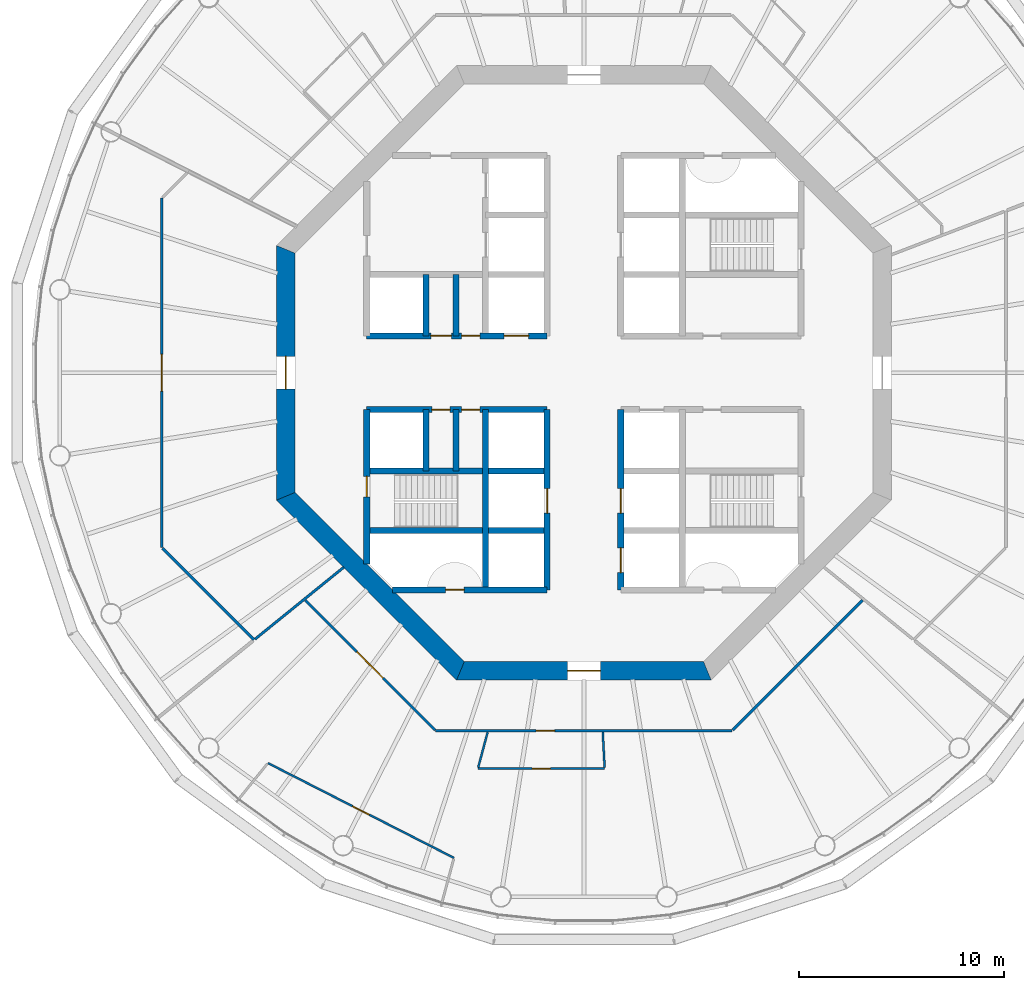
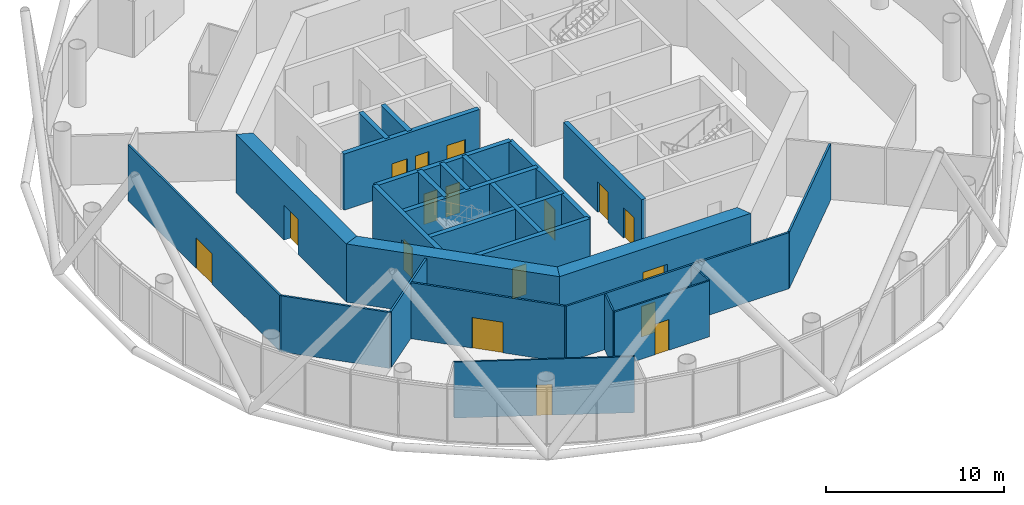
# One storey, part 3 of 12: 26 walls, 17 doors, 17 openings.
"""IFC4 building model written with IfcOpenShell, lengths in metres."""

from ifc_helpers import new_model, si_unit, direction, frame, frame_2d, origin, place, context, subcontext, project, spatial, polyline, rectangle, outline, extrude, material, layer, layer_set, type_object, element, fill, save


model = new_model("IFC4")

# Units and contexts
model_context = context("Model", 3, precision=1e-05, world=origin(), true_north=direction((0.0, 1.0)))
body_context = subcontext(model_context, "Body", "Model", "MODEL_VIEW")
ifc_project = project(units=[si_unit("LENGTHUNIT", "METRE"), si_unit("AREAUNIT", "SQUARE_METRE"), si_unit("VOLUMEUNIT", "CUBIC_METRE"), si_unit("PLANEANGLEUNIT", "RADIAN"), si_unit("MASSUNIT", "GRAM", prefix="KILO")], contexts=[model_context])

# Site, building, storey
site_placement = place(None, origin())
site = spatial("IfcSite", under=ifc_project, at=site_placement, CompositionType="ELEMENT")
building_placement = place(site_placement, origin())
building = spatial("IfcBuilding", under=site, at=building_placement, Name="Entoto Ring Tower", CompositionType="ELEMENT")
storey_placement = place(building_placement, frame((0.0, 0.0, 238.0)))
storey = spatial("IfcBuildingStorey", under=building, at=storey_placement, Name="L54", CompositionType="ELEMENT", Elevation=238.0)

# Wall, openings, doors
ifc_material_1 = material(Name="Concrete C40/50", Category="concrete")
ifc_layer_1 = layer(ifc_material_1, 0.300048828125)
ifc_layer_set_1 = layer_set([ifc_layer_1], Name="Concrete C40/50")
wall_type_1 = type_object("IfcWallType", Name="Core enclosure wall 300 mm reinforced concrete", PredefinedType="SOLIDWALL", material=ifc_layer_set_1)
wall_1_placement = place(storey_placement, frame((91.800048828125, 69.39990234375, 0.0), z_axis=(0.0, 0.0, 1.0), x_axis=(0.0, 1.0, 0.0)))
wall_1 = element("IfcWall", 1, at=wall_1_placement, inside=storey, type_object=wall_type_1, Name="wall-L54-005", PredefinedType="SOLIDWALL", context=body_context, shape_type="SweptSolid", body=[
    extrude(rectangle(XDim=8.800048828125, YDim=0.300048828125, at=frame_2d((4.39990234375, 0.0))), origin(), (0.0, 0.0, 1.0), 3.85009765625),
])
opening_1_placement = place(wall_1_placement, frame((3.75, 0.0, 0.0)))
opening_1 = element("IfcOpeningElement", 2, at=opening_1_placement, cuts=wall_1, Name="Opening LD", PredefinedType="OPENING", context=body_context, shape_type="SweptSolid", body=[
    extrude(rectangle(XDim=1.199951171875, YDim=2.10009765625, at=frame_2d((0.60009765625, 1.050048828125))), frame((0.0, 0.16015625, 0.0), z_axis=(0.0, -1.0, 0.0), x_axis=(1.0, 0.0, 0.0)), (0.0, 0.0, 1.0), 0.320068359375),
])
opening_2_placement = place(wall_1_placement, frame((0.85009765625, 0.0, 0.0)))
opening_2 = element("IfcOpeningElement", 3, at=opening_2_placement, cuts=wall_1, Name="Opening LD", PredefinedType="OPENING", context=body_context, shape_type="SweptSolid", body=[
    extrude(rectangle(XDim=1.199951171875, YDim=2.10009765625, at=frame_2d((0.60009765625, 1.050048828125))), frame((0.0, 0.16015625, 0.0), z_axis=(0.0, -1.0, 0.0), x_axis=(1.0, 0.0, 0.0)), (0.0, 0.0, 1.0), 0.320068359375),
])
ifc_material_2 = material(Name="Steel and glass door leaf", Category="steel")
ifc_layer_2 = layer(ifc_material_2, 0.050048828125)
ifc_layer_set_2 = layer_set([ifc_layer_2], Name="Steel and glass door leaf")
door_type_1 = type_object("IfcDoorType", Name="Landing door 1200 x 2100 sliding", OperationType="DOUBLE_DOOR_SLIDING", PredefinedType="DOOR", material=ifc_layer_set_2)
door_1_placement = place(opening_1_placement, origin())
door_1 = element("IfcDoor", 4, at=door_1_placement, inside=storey, type_object=door_type_1, Name="Landing door LB2-MR", OperationType="SLIDING_TO_RIGHT", OverallHeight=2.10009765625, OverallWidth=1.199951171875, PredefinedType="DOOR", context=body_context, shape_type="SweptSolid", body=[
    extrude(rectangle(XDim=1.199951171875, YDim=2.10009765625, at=frame_2d((0.60009765625, 1.050048828125))), frame((0.0, 0.02490234375, 0.0), z_axis=(0.0, -1.0, 0.0), x_axis=(1.0, 0.0, 0.0)), (0.0, 0.0, 1.0), 0.050048828125),
])
fill(opening_1, door_1)
door_2_placement = place(opening_2_placement, origin())
door_2 = element("IfcDoor", 5, at=door_2_placement, inside=storey, type_object=door_type_1, Name="Landing door LB3-MR", OperationType="SLIDING_TO_RIGHT", OverallHeight=2.10009765625, OverallWidth=1.199951171875, PredefinedType="DOOR", context=body_context, shape_type="SweptSolid", body=[
    extrude(rectangle(XDim=1.199951171875, YDim=2.10009765625, at=frame_2d((0.60009765625, 1.050048828125))), frame((0.0, 0.02490234375, 0.0), z_axis=(0.0, -1.0, 0.0), x_axis=(1.0, 0.0, 0.0)), (0.0, 0.0, 1.0), 0.050048828125),
])
fill(opening_2, door_2)

# Wall, opening, door
wall_2_placement = place(storey_placement, frame((88.199951171875, 69.39990234375, 0.0), z_axis=(0.0, 0.0, 1.0), x_axis=(0.0, 1.0, 0.0)))
wall_2 = element("IfcWall", 6, at=wall_2_placement, inside=storey, type_object=wall_type_1, Name="wall-L54-007", PredefinedType="SOLIDWALL", context=body_context, shape_type="SweptSolid", body=[
    extrude(rectangle(XDim=8.800048828125, YDim=0.300048828125, at=frame_2d((4.39990234375, 0.0))), origin(), (0.0, 0.0, 1.0), 3.85009765625),
])
opening_3_placement = place(wall_2_placement, frame((3.75, 0.0, 0.0)))
opening_3 = element("IfcOpeningElement", 7, at=opening_3_placement, cuts=wall_2, Name="Opening LD", PredefinedType="OPENING", context=body_context, shape_type="SweptSolid", body=[
    extrude(rectangle(XDim=1.199951171875, YDim=2.10009765625, at=frame_2d((0.60009765625, 1.050048828125))), frame((0.0, 0.16015625, 0.0), z_axis=(0.0, -1.0, 0.0), x_axis=(1.0, 0.0, 0.0)), (0.0, 0.0, 1.0), 0.320068359375),
])
door_3_placement = place(opening_3_placement, origin())
door_3 = element("IfcDoor", 8, at=door_3_placement, inside=storey, type_object=door_type_1, Name="Landing door LB4-MR", OperationType="SLIDING_TO_RIGHT", OverallHeight=2.10009765625, OverallWidth=1.199951171875, PredefinedType="DOOR", context=body_context, shape_type="SweptSolid", body=[
    extrude(rectangle(XDim=1.199951171875, YDim=2.10009765625, at=frame_2d((0.60009765625, 1.050048828125))), frame((0.0, 0.02490234375, 0.0), z_axis=(0.0, -1.0, 0.0), x_axis=(1.0, 0.0, 0.0)), (0.0, 0.0, 1.0), 0.050048828125),
])
fill(opening_3, door_3)

# Walls
wall_3_placement = place(storey_placement, frame((85.199951171875, 69.39990234375, 0.0), z_axis=(0.0, 0.0, 1.0), x_axis=(0.0, 1.0, 0.0)))
element("IfcWall", 9, at=wall_3_placement, inside=storey, type_object=wall_type_1, Name="wall-L54-009", PredefinedType="SOLIDWALL", context=body_context, shape_type="SweptSolid", body=[
    extrude(rectangle(XDim=8.800048828125, YDim=0.300048828125, at=frame_2d((4.39990234375, 0.0))), origin(), (0.0, 0.0, 1.0), 3.85009765625),
])
for number, where, z_axis, x_axis, name in (
    (10, (83.75, 75.199951171875, 0.0), (0.0, 0.0, 1.0), (0.0, 1.0, 0.0), "wall-L54-011"),
    (11, (83.75, 81.800048828125, 0.0), (0.0, 0.0, 1.0), (0.0, 1.0, 0.0), "wall-L54-012"),
    (12, (82.300048828125, 75.199951171875, 0.0), (0.0, 0.0, 1.0), (0.0, 1.0, 0.0), "wall-L54-013"),
    (13, (82.300048828125, 81.800048828125, 0.0), (0.0, 0.0, 1.0), (0.0, 1.0, 0.0), "wall-L54-014"),
):
    element("IfcWall", number, at=place(storey_placement, frame(where, z_axis=z_axis, x_axis=x_axis)), inside=storey, type_object=wall_type_1, Name=name, PredefinedType="SOLIDWALL", context=body_context, shape_type="SweptSolid", body=[
        extrude(rectangle(XDim=3.0, YDim=0.300048828125, at=frame_2d((1.5, 0.0))), origin(), (0.0, 0.0, 1.0), 3.85009765625),
    ])

# Wall, opening, door
wall_4_placement = place(storey_placement, frame((79.39990234375, 70.65966796875, 0.0), z_axis=(0.0, 0.0, 1.0), x_axis=(0.0, 1.0, 0.0)))
wall_4 = element("IfcWall", 14, at=wall_4_placement, inside=storey, type_object=wall_type_1, Name="wall-L54-015", PredefinedType="SOLIDWALL", context=body_context, shape_type="SweptSolid", body=[
    extrude(rectangle(XDim=7.540283203125, YDim=0.300048828125, at=frame_2d((3.77001953125, 0.0))), origin(), (0.0, 0.0, 1.0), 3.85009765625),
])
opening_4_placement = place(wall_4_placement, frame((3.290283203125, 0.0, 0.0)))
opening_4 = element("IfcOpeningElement", 15, at=opening_4_placement, cuts=wall_4, Name="Opening K-59", PredefinedType="OPENING", context=body_context, shape_type="SweptSolid", body=[
    extrude(rectangle(XDim=1.0, YDim=2.10009765625, at=frame_2d((0.5, 1.050048828125))), frame((0.0, 0.16015625, 0.0), z_axis=(0.0, -1.0, 0.0), x_axis=(1.0, 0.0, 0.0)), (0.0, 0.0, 1.0), 0.320068359375),
])
ifc_material_3 = material(Name="Steel door leaf, fire rated", Category="steel")
ifc_layer_3 = layer(ifc_material_3, 0.050048828125)
ifc_layer_set_3 = layer_set([ifc_layer_3], Name="Steel door leaf, fire rated")
door_type_2 = type_object("IfcDoorType", Name="Fire door FD60 1000 x 2100 single leaf", OperationType="NOTDEFINED", PredefinedType="DOOR", material=ifc_layer_set_3)
door_4_placement = place(opening_4_placement, frame((1.0, 0.0, 0.0), z_axis=(0.0, 0.0, 1.0), x_axis=(-1.0, 0.0, 0.0)))
door_4 = element("IfcDoor", 16, at=door_4_placement, inside=storey, type_object=door_type_2, Name="Door K-59", OperationType="SINGLE_SWING_LEFT", OverallHeight=2.10009765625, OverallWidth=1.0, PredefinedType="DOOR", context=body_context, shape_type="SweptSolid", body=[
    extrude(rectangle(XDim=1.0, YDim=2.10009765625, at=frame_2d((0.5, 1.050048828125))), frame((0.0, 0.02490234375, 0.0), z_axis=(0.0, -1.0, 0.0), x_axis=(1.0, 0.0, 0.0)), (0.0, 0.0, 1.0), 0.050048828125),
])
fill(opening_4, door_4)

wall_5_placement = place(storey_placement, frame((80.65966796875, 69.39990234375, 0.0), z_axis=(0.0, 0.0, 1.0), x_axis=(1.0, 0.0, 0.0)))
wall_5 = element("IfcWall", 17, at=wall_5_placement, inside=storey, type_object=wall_type_1, Name="wall-L54-017", PredefinedType="SOLIDWALL", context=body_context, shape_type="SweptSolid", body=[
    extrude(rectangle(XDim=7.540283203125, YDim=0.300048828125, at=frame_2d((3.77001953125, 0.0))), origin(), (0.0, 0.0, 1.0), 3.85009765625),
])
opening_5_placement = place(wall_5_placement, frame((2.59033203125, 0.0, 0.0)))
opening_5 = element("IfcOpeningElement", 18, at=opening_5_placement, cuts=wall_5, Name="Opening K-66", PredefinedType="OPENING", context=body_context, shape_type="SweptSolid", body=[
    extrude(rectangle(XDim=0.89990234375, YDim=2.10009765625, at=frame_2d((0.449951171875, 1.050048828125))), frame((0.0, 0.16015625, 0.0), z_axis=(0.0, -1.0, 0.0), x_axis=(1.0, 0.0, 0.0)), (0.0, 0.0, 1.0), 0.320068359375),
])
ifc_material_4 = material(Name="Steel door leaf, fire rated", Category="steel")
ifc_layer_4 = layer(ifc_material_4, 0.050048828125)
ifc_layer_set_4 = layer_set([ifc_layer_4], Name="Steel door leaf, fire rated")
door_type_3 = type_object("IfcDoorType", Name="Riser door FD60 900 x 2100 single leaf", OperationType="NOTDEFINED", PredefinedType="DOOR", material=ifc_layer_set_4)
door_5_placement = place(opening_5_placement, origin())
door_5 = element("IfcDoor", 19, at=door_5_placement, inside=storey, type_object=door_type_3, Name="Door K-66", OperationType="SINGLE_SWING_RIGHT", OverallHeight=2.10009765625, OverallWidth=0.89990234375, PredefinedType="DOOR", context=body_context, shape_type="SweptSolid", body=[
    extrude(rectangle(XDim=0.89990234375, YDim=2.10009765625, at=frame_2d((0.449951171875, 1.050048828125))), frame((0.0, 0.02490234375, 0.0), z_axis=(0.0, -1.0, 0.0), x_axis=(1.0, 0.0, 0.0)), (0.0, 0.0, 1.0), 0.050048828125),
])
fill(opening_5, door_5)

# Walls
for number, where, z_axis, x_axis, name in (
    (20, (79.39990234375, 72.300048828125, 0.0), (0.0, 0.0, 1.0), (1.0, 0.0, 0.0), "wall-L54-019"),
    (21, (79.39990234375, 75.199951171875, 0.0), (0.0, 0.0, 1.0), (1.0, 0.0, 0.0), "wall-L54-021"),
):
    element("IfcWall", number, at=place(storey_placement, frame(where, z_axis=z_axis, x_axis=x_axis)), inside=storey, type_object=wall_type_1, Name=name, PredefinedType="SOLIDWALL", context=body_context, shape_type="SweptSolid", body=[
        extrude(rectangle(XDim=8.800048828125, YDim=0.300048828125, at=frame_2d((4.39990234375, 0.0))), origin(), (0.0, 0.0, 1.0), 3.85009765625),
    ])

# Wall, openings, doors
wall_6_placement = place(storey_placement, frame((79.39990234375, 78.199951171875, 0.0), z_axis=(0.0, 0.0, 1.0), x_axis=(1.0, 0.0, 0.0)))
wall_6 = element("IfcWall", 22, at=wall_6_placement, inside=storey, type_object=wall_type_1, Name="wall-L54-023", PredefinedType="SOLIDWALL", context=body_context, shape_type="SweptSolid", body=[
    extrude(rectangle(XDim=8.800048828125, YDim=0.300048828125, at=frame_2d((4.39990234375, 0.0))), origin(), (0.0, 0.0, 1.0), 3.85009765625),
])
opening_6_placement = place(wall_6_placement, frame((3.175048828125, 0.0, 0.0)))
opening_6 = element("IfcOpeningElement", 23, at=opening_6_placement, cuts=wall_6, Name="Opening K-15", PredefinedType="OPENING", context=body_context, shape_type="SweptSolid", body=[
    extrude(rectangle(XDim=0.89990234375, YDim=2.10009765625, at=frame_2d((0.449951171875, 1.050048828125))), frame((0.0, 0.16015625, 0.0), z_axis=(0.0, -1.0, 0.0), x_axis=(1.0, 0.0, 0.0)), (0.0, 0.0, 1.0), 0.320068359375),
])
opening_7_placement = place(wall_6_placement, frame((4.625, 0.0, 0.0)))
opening_7 = element("IfcOpeningElement", 24, at=opening_7_placement, cuts=wall_6, Name="Opening K-16", PredefinedType="OPENING", context=body_context, shape_type="SweptSolid", body=[
    extrude(rectangle(XDim=0.89990234375, YDim=2.10009765625, at=frame_2d((0.449951171875, 1.050048828125))), frame((0.0, 0.16015625, 0.0), z_axis=(0.0, -1.0, 0.0), x_axis=(1.0, 0.0, 0.0)), (0.0, 0.0, 1.0), 0.320068359375),
])
ifc_material_5 = material(Name="Steel door leaf, fire rated", Category="steel")
ifc_layer_5 = layer(ifc_material_5, 0.050048828125)
ifc_layer_set_5 = layer_set([ifc_layer_5], Name="Steel door leaf, fire rated")
door_type_4 = type_object("IfcDoorType", Name="Core door 900 x 2100 single leaf", OperationType="NOTDEFINED", PredefinedType="DOOR", material=ifc_layer_set_5)
door_6_placement = place(opening_6_placement, frame((0.89990234375, 0.0, 0.0), z_axis=(0.0, 0.0, 1.0), x_axis=(-1.0, 0.0, 0.0)))
door_6 = element("IfcDoor", 25, at=door_6_placement, inside=storey, type_object=door_type_4, Name="Door K-15", OperationType="SINGLE_SWING_LEFT", OverallHeight=2.10009765625, OverallWidth=0.89990234375, PredefinedType="DOOR", context=body_context, shape_type="SweptSolid", body=[
    extrude(rectangle(XDim=0.89990234375, YDim=2.10009765625, at=frame_2d((0.449951171875, 1.050048828125))), frame((0.0, 0.02490234375, 0.0), z_axis=(0.0, -1.0, 0.0), x_axis=(1.0, 0.0, 0.0)), (0.0, 0.0, 1.0), 0.050048828125),
])
fill(opening_6, door_6)
door_7_placement = place(opening_7_placement, frame((0.89990234375, 0.0, 0.0), z_axis=(0.0, 0.0, 1.0), x_axis=(-1.0, 0.0, 0.0)))
door_7 = element("IfcDoor", 26, at=door_7_placement, inside=storey, type_object=door_type_4, Name="Door K-16", OperationType="SINGLE_SWING_LEFT", OverallHeight=2.10009765625, OverallWidth=0.89990234375, PredefinedType="DOOR", context=body_context, shape_type="SweptSolid", body=[
    extrude(rectangle(XDim=0.89990234375, YDim=2.10009765625, at=frame_2d((0.449951171875, 1.050048828125))), frame((0.0, 0.02490234375, 0.0), z_axis=(0.0, -1.0, 0.0), x_axis=(1.0, 0.0, 0.0)), (0.0, 0.0, 1.0), 0.050048828125),
])
fill(opening_7, door_7)

wall_7_placement = place(storey_placement, frame((79.39990234375, 81.800048828125, 0.0), z_axis=(0.0, 0.0, 1.0), x_axis=(1.0, 0.0, 0.0)))
wall_7 = element("IfcWall", 27, at=wall_7_placement, inside=storey, type_object=wall_type_1, Name="wall-L54-025", PredefinedType="SOLIDWALL", context=body_context, shape_type="SweptSolid", body=[
    extrude(rectangle(XDim=8.800048828125, YDim=0.300048828125, at=frame_2d((4.39990234375, 0.0))), origin(), (0.0, 0.0, 1.0), 3.85009765625),
])
opening_8_placement = place(wall_7_placement, frame((6.699951171875, 0.0, 0.0)))
opening_8 = element("IfcOpeningElement", 28, at=opening_8_placement, cuts=wall_7, Name="Opening LD", PredefinedType="OPENING", context=body_context, shape_type="SweptSolid", body=[
    extrude(rectangle(XDim=1.199951171875, YDim=2.10009765625, at=frame_2d((0.60009765625, 1.050048828125))), frame((0.0, 0.16015625, 0.0), z_axis=(0.0, -1.0, 0.0), x_axis=(1.0, 0.0, 0.0)), (0.0, 0.0, 1.0), 0.320068359375),
])
opening_9_placement = place(wall_7_placement, frame((3.125, 0.0, 0.0)))
opening_9 = element("IfcOpeningElement", 29, at=opening_9_placement, cuts=wall_7, Name="Opening K-13", PredefinedType="OPENING", context=body_context, shape_type="SweptSolid", body=[
    extrude(rectangle(XDim=1.0, YDim=2.10009765625, at=frame_2d((0.5, 1.050048828125))), frame((0.0, 0.16015625, 0.0), z_axis=(0.0, -1.0, 0.0), x_axis=(1.0, 0.0, 0.0)), (0.0, 0.0, 1.0), 0.320068359375),
])
opening_10_placement = place(wall_7_placement, frame((4.625, 0.0, 0.0)))
opening_10 = element("IfcOpeningElement", 30, at=opening_10_placement, cuts=wall_7, Name="Opening K-14", PredefinedType="OPENING", context=body_context, shape_type="SweptSolid", body=[
    extrude(rectangle(XDim=0.89990234375, YDim=2.10009765625, at=frame_2d((0.449951171875, 1.050048828125))), frame((0.0, 0.16015625, 0.0), z_axis=(0.0, -1.0, 0.0), x_axis=(1.0, 0.0, 0.0)), (0.0, 0.0, 1.0), 0.320068359375),
])
ifc_material_6 = material(Name="Steel door leaf, fire rated", Category="steel")
ifc_layer_6 = layer(ifc_material_6, 0.050048828125)
ifc_layer_set_6 = layer_set([ifc_layer_6], Name="Steel door leaf, fire rated")
door_type_5 = type_object("IfcDoorType", Name="Accessible door 1000 x 2100 single leaf", OperationType="NOTDEFINED", PredefinedType="DOOR", material=ifc_layer_set_6)
door_8_placement = place(opening_9_placement, origin())
door_8 = element("IfcDoor", 31, at=door_8_placement, inside=storey, type_object=door_type_5, Name="Door K-13", OperationType="SINGLE_SWING_RIGHT", OverallHeight=2.10009765625, OverallWidth=1.0, PredefinedType="DOOR", context=body_context, shape_type="SweptSolid", body=[
    extrude(rectangle(XDim=1.0, YDim=2.10009765625, at=frame_2d((0.5, 1.050048828125))), frame((0.0, 0.02490234375, 0.0), z_axis=(0.0, -1.0, 0.0), x_axis=(1.0, 0.0, 0.0)), (0.0, 0.0, 1.0), 0.050048828125),
])
fill(opening_9, door_8)
door_9_placement = place(opening_10_placement, origin())
door_9 = element("IfcDoor", 32, at=door_9_placement, inside=storey, type_object=door_type_4, Name="Door K-14", OperationType="SINGLE_SWING_RIGHT", OverallHeight=2.10009765625, OverallWidth=0.89990234375, PredefinedType="DOOR", context=body_context, shape_type="SweptSolid", body=[
    extrude(rectangle(XDim=0.89990234375, YDim=2.10009765625, at=frame_2d((0.449951171875, 1.050048828125))), frame((0.0, 0.02490234375, 0.0), z_axis=(0.0, -1.0, 0.0), x_axis=(1.0, 0.0, 0.0)), (0.0, 0.0, 1.0), 0.050048828125),
])
fill(opening_10, door_9)
door_10_placement = place(opening_8_placement, origin())
door_10 = element("IfcDoor", 33, at=door_10_placement, inside=storey, type_object=door_type_1, Name="Landing door LB5-MR", OperationType="SLIDING_TO_LEFT", OverallHeight=2.10009765625, OverallWidth=1.199951171875, PredefinedType="DOOR", context=body_context, shape_type="SweptSolid", body=[
    extrude(rectangle(XDim=1.199951171875, YDim=2.10009765625, at=frame_2d((0.60009765625, 1.050048828125))), frame((0.0, 0.02490234375, 0.0), z_axis=(0.0, -1.0, 0.0), x_axis=(1.0, 0.0, 0.0)), (0.0, 0.0, 1.0), 0.050048828125),
])
fill(opening_8, door_10)

# Wall, opening, door
ifc_material_7 = material(Name="Concrete C50/60", Category="concrete")
ifc_layer_7 = layer(ifc_material_7, 0.89990234375)
ifc_layer_set_7 = layer_set([ifc_layer_7], Name="Concrete C50/60")
wall_type_2 = type_object("IfcWallType", Name="Core shear wall 900 mm reinforced concrete C50/60", PredefinedType="SHEAR", material=ifc_layer_set_7)
wall_8_placement = place(storey_placement, frame((75.449951171875, 86.02685546875, 0.0), z_axis=(0.0, 0.0, 1.0), x_axis=(0.0, -1.0, 0.0)))
wall_8 = element("IfcWall", 34, at=wall_8_placement, inside=storey, type_object=wall_type_2, Name="wall-L54-core-4", PredefinedType="SHEAR", context=body_context, shape_type="SweptSolid", body=[
    extrude(outline(polyline([(-0.186279296875, -0.449951171875), (12.239990234375, -0.449951171875), (11.867431640625, 0.449951171875), (0.186279296875, 0.449951171875), (-0.186279296875, -0.449951171875)])), origin(), (0.0, 0.0, 1.0), 4.0),
])
opening_11_placement = place(wall_8_placement, frame((5.226806640625, 0.0, 0.0)))
opening_11 = element("IfcOpeningElement", 35, at=opening_11_placement, cuts=wall_8, Name="Opening K-03", PredefinedType="OPENING", context=body_context, shape_type="SweptSolid", body=[
    extrude(rectangle(XDim=1.60009765625, YDim=2.39990234375, at=frame_2d((0.800048828125, 1.199951171875))), frame((0.0, 0.4599609375, 0.0), z_axis=(0.0, -1.0, 0.0), x_axis=(1.0, 0.0, 0.0)), (0.0, 0.0, 1.0), 0.919921875),
])
ifc_material_8 = material(Name="Steel door leaf, fire rated", Category="steel")
ifc_layer_8 = layer(ifc_material_8, 0.050048828125)
ifc_layer_set_8 = layer_set([ifc_layer_8], Name="Steel door leaf, fire rated")
door_type_6 = type_object("IfcDoorType", Name="Entrance door FD60 1600 x 2400 double leaf", OperationType="DOUBLE_DOOR_SINGLE_SWING", PredefinedType="DOOR", material=ifc_layer_set_8)
door_11_placement = place(opening_11_placement, origin())
door_11 = element("IfcDoor", 36, at=door_11_placement, inside=storey, type_object=door_type_6, Name="Entrance door K-03", OperationType="DOUBLE_DOOR_SINGLE_SWING", OverallHeight=2.39990234375, OverallWidth=1.60009765625, PredefinedType="DOOR", context=body_context, shape_type="SweptSolid", body=[
    extrude(rectangle(XDim=1.60009765625, YDim=2.39990234375, at=frame_2d((0.800048828125, 1.199951171875))), frame((0.0, 0.02490234375, 0.0), z_axis=(0.0, -1.0, 0.0), x_axis=(1.0, 0.0, 0.0)), (0.0, 0.0, 1.0), 0.050048828125),
])
fill(opening_11, door_11)

# Wall
wall_9_placement = place(storey_placement, frame((75.449951171875, 73.97314453125, 0.0), z_axis=(0.0, 0.0, 1.0), x_axis=(0.707106781187, -0.707106781187, 0.0)))
element("IfcWall", 37, at=wall_9_placement, inside=storey, type_object=wall_type_2, Name="wall-L54-core-5", PredefinedType="SHEAR", context=body_context, shape_type="SweptSolid", body=[
    extrude(outline(polyline([(-0.186279296875, -0.449951171875), (12.239990234375, -0.449951171875), (11.867431640625, 0.449951171875), (0.186279296875, 0.449951171875), (-0.186279296875, -0.449951171875)])), origin(), (0.0, 0.0, 1.0), 4.0),
])

# Wall, opening, door
wall_10_placement = place(storey_placement, frame((83.97314453125, 65.449951171875, 0.0), z_axis=(0.0, 0.0, 1.0), x_axis=(1.0, 0.0, 0.0)))
wall_10 = element("IfcWall", 38, at=wall_10_placement, inside=storey, type_object=wall_type_2, Name="wall-L54-core-6", PredefinedType="SHEAR", context=body_context, shape_type="SweptSolid", body=[
    extrude(outline(polyline([(-0.186279296875, -0.449951171875), (12.239990234375, -0.449951171875), (11.867431640625, 0.449951171875), (0.186279296875, 0.449951171875), (-0.186279296875, -0.449951171875)])), origin(), (0.0, 0.0, 1.0), 4.0),
])
opening_12_placement = place(wall_10_placement, frame((5.226806640625, 0.0, 0.0)))
opening_12 = element("IfcOpeningElement", 39, at=opening_12_placement, cuts=wall_10, Name="Opening K-04", PredefinedType="OPENING", context=body_context, shape_type="SweptSolid", body=[
    extrude(rectangle(XDim=1.60009765625, YDim=2.39990234375, at=frame_2d((0.800048828125, 1.199951171875))), frame((0.0, 0.4599609375, 0.0), z_axis=(0.0, -1.0, 0.0), x_axis=(1.0, 0.0, 0.0)), (0.0, 0.0, 1.0), 0.919921875),
])
door_12_placement = place(opening_12_placement, origin())
door_12 = element("IfcDoor", 40, at=door_12_placement, inside=storey, type_object=door_type_6, Name="Entrance door K-04", OperationType="DOUBLE_DOOR_SINGLE_SWING", OverallHeight=2.39990234375, OverallWidth=1.60009765625, PredefinedType="DOOR", context=body_context, shape_type="SweptSolid", body=[
    extrude(rectangle(XDim=1.60009765625, YDim=2.39990234375, at=frame_2d((0.800048828125, 1.199951171875))), frame((0.0, 0.02490234375, 0.0), z_axis=(0.0, -1.0, 0.0), x_axis=(1.0, 0.0, 0.0)), (0.0, 0.0, 1.0), 0.050048828125),
])
fill(opening_12, door_12)

ifc_material_9 = material(Name="Fire-resisting plasterboard on steel studs", Category="steel")
ifc_layer_9 = layer(ifc_material_9, 0.125)
ifc_layer_set_9 = layer_set([ifc_layer_9], Name="Fire-resisting plasterboard on steel studs")
wall_type_3 = type_object("IfcWallType", Name="Corridor wall 125 mm one-hour plasterboard on steel studs", PredefinedType="PARTITIONING", material=ifc_layer_set_9)
wall_11_placement = place(storey_placement, frame((69.39990234375, 71.46728515625, 0.0), z_axis=(0.0, 0.0, 1.0), x_axis=(0.0, 1.0, 0.0)))
wall_11 = element("IfcWall", 41, at=wall_11_placement, inside=storey, type_object=wall_type_3, Name="partition-L54-001", PredefinedType="PARTITIONING", context=body_context, shape_type="SweptSolid", body=[
    extrude(rectangle(XDim=17.0654296875, YDim=0.125, at=frame_2d((8.53271484375, 0.0))), origin(), (0.0, 0.0, 1.0), 3.85009765625),
])
opening_13_placement = place(wall_11_placement, frame((7.6328125, 0.0, 0.0)))
opening_13 = element("IfcOpeningElement", 42, at=opening_13_placement, cuts=wall_11, Name="Opening A24-D02", PredefinedType="OPENING", context=body_context, shape_type="SweptSolid", body=[
    extrude(rectangle(XDim=1.800048828125, YDim=2.10009765625, at=frame_2d((0.89990234375, 1.050048828125))), frame((0.0, 0.072509765625, 0.0), z_axis=(0.0, -1.0, 0.0), x_axis=(1.0, 0.0, 0.0)), (0.0, 0.0, 1.0), 0.14501953125),
])
ifc_material_10 = material(Name="Fire-resisting timber door set", Category="wood")
door_type_7 = type_object("IfcDoorType", Name="Door 1800 x 2100 double leaf FD30S fire door", OperationType="DOUBLE_DOOR_SINGLE_SWING", PredefinedType="DOOR", material=ifc_material_10)
door_13_placement = place(opening_13_placement, origin())
door_13 = element("IfcDoor", 43, at=door_13_placement, inside=storey, type_object=door_type_7, Name="Door A24-D02", OperationType="DOUBLE_DOOR_SINGLE_SWING", OverallHeight=2.10009765625, OverallWidth=1.800048828125, PredefinedType="DOOR", context=body_context, shape_type="SweptSolid", body=[
    extrude(rectangle(XDim=1.800048828125, YDim=2.10009765625, at=frame_2d((0.89990234375, 1.050048828125))), frame((0.0, 0.02490234375, 0.0), z_axis=(0.0, -1.0, 0.0), x_axis=(1.0, 0.0, 0.0)), (0.0, 0.0, 1.0), 0.050048828125),
])
fill(opening_13, door_13)

wall_12_placement = place(storey_placement, frame((82.766845703125, 62.53759765625, 0.0), z_axis=(0.0, 0.0, 1.0), x_axis=(1.0, 0.0, 0.0)))
wall_12 = element("IfcWall", 44, at=wall_12_placement, inside=storey, type_object=wall_type_3, Name="partition-L54-004", PredefinedType="PARTITIONING", context=body_context, shape_type="SweptSolid", body=[
    extrude(rectangle(XDim=14.46630859375, YDim=0.125, at=frame_2d((7.233154296875, 0.0))), origin(), (0.0, 0.0, 1.0), 3.85009765625),
])
opening_14_placement = place(wall_12_placement, frame((4.9013671875, 0.0, 0.0)))
opening_14 = element("IfcOpeningElement", 45, at=opening_14_placement, cuts=wall_12, Name="Opening A24-D12", PredefinedType="OPENING", context=body_context, shape_type="SweptSolid", body=[
    extrude(rectangle(XDim=0.89990234375, YDim=2.10009765625, at=frame_2d((0.449951171875, 1.050048828125))), frame((0.0, 0.072509765625, 0.0), z_axis=(0.0, -1.0, 0.0), x_axis=(1.0, 0.0, 0.0)), (0.0, 0.0, 1.0), 0.14501953125),
])
ifc_material_11 = material(Name="Fire-resisting timber door set", Category="wood")
door_type_8 = type_object("IfcDoorType", Name="Door 1000 x 2100 single leaf FD30S fire door", OperationType="NOTDEFINED", PredefinedType="DOOR", material=ifc_material_11)
door_14_placement = place(opening_14_placement, frame((0.89990234375, 0.0, 0.0), z_axis=(0.0, 0.0, 1.0), x_axis=(-1.0, 0.0, 0.0)))
door_14 = element("IfcDoor", 46, at=door_14_placement, inside=storey, type_object=door_type_8, Name="Door A24-D12", OperationType="SINGLE_SWING_LEFT", OverallHeight=2.10009765625, OverallWidth=0.89990234375, PredefinedType="DOOR", context=body_context, shape_type="SweptSolid", body=[
    extrude(rectangle(XDim=0.89990234375, YDim=2.10009765625, at=frame_2d((0.449951171875, 1.050048828125))), frame((0.0, 0.02490234375, 0.0), z_axis=(0.0, -1.0, 0.0), x_axis=(1.0, 0.0, 0.0)), (0.0, 0.0, 1.0), 0.050048828125),
])
fill(opening_14, door_14)

wall_13_placement = place(storey_placement, frame((82.735595703125, 62.568603515625, 0.0), z_axis=(0.0, 0.0, 1.0), x_axis=(-0.707106781187, 0.707106781187, 0.0)))
wall_13 = element("IfcWall", 47, at=wall_13_placement, inside=storey, type_object=wall_type_3, Name="partition-L54-007", PredefinedType="PARTITIONING", context=body_context, shape_type="SweptSolid", body=[
    extrude(rectangle(XDim=8.955078125, YDim=0.125, at=frame_2d((4.4775390625, 0.0))), origin(), (0.0, 0.0, 1.0), 3.85009765625),
])
opening_15_placement = place(wall_13_placement, frame((3.59033203125, 0.0, 0.0)))
opening_15 = element("IfcOpeningElement", 48, at=opening_15_placement, cuts=wall_13, Name="Opening A24-D10", PredefinedType="OPENING", context=body_context, shape_type="SweptSolid", body=[
    extrude(rectangle(XDim=1.800048828125, YDim=2.10009765625, at=frame_2d((0.89990234375, 1.050048828125))), frame((0.0, 0.072509765625, 0.0), z_axis=(0.0, -1.0, 0.0), x_axis=(1.0, 0.0, 0.0)), (0.0, 0.0, 1.0), 0.14501953125),
])
door_15_placement = place(opening_15_placement, origin())
door_15 = element("IfcDoor", 49, at=door_15_placement, inside=storey, type_object=door_type_7, Name="Door A24-D10", OperationType="DOUBLE_DOOR_SINGLE_SWING", OverallHeight=2.10009765625, OverallWidth=1.800048828125, PredefinedType="DOOR", context=body_context, shape_type="SweptSolid", body=[
    extrude(rectangle(XDim=1.800048828125, YDim=2.10009765625, at=frame_2d((0.89990234375, 1.050048828125))), frame((0.0, 0.02490234375, 0.0), z_axis=(0.0, -1.0, 0.0), x_axis=(1.0, 0.0, 0.0)), (0.0, 0.0, 1.0), 0.050048828125),
])
fill(opening_15, door_15)

# Walls
wall_14_placement = place(storey_placement, frame((97.264404296875, 62.568603515625, 0.0), z_axis=(0.0, 0.0, 1.0), x_axis=(0.707106781187, 0.707106781187, 0.0)))
element("IfcWall", 50, at=wall_14_placement, inside=storey, type_object=wall_type_3, Name="partition-L54-008", PredefinedType="PARTITIONING", context=body_context, shape_type="SweptSolid", body=[
    extrude(rectangle(XDim=8.955078125, YDim=0.125, at=frame_2d((4.4775390625, 0.0))), origin(), (0.0, 0.0, 1.0), 3.85009765625),
])
wall_15_placement = place(storey_placement, frame((73.902587890625, 66.964599609375, 0.0), z_axis=(0.0, 0.0, 1.0), x_axis=(-0.707106781187, 0.707106781187, 0.0)))
element("IfcWall", 51, at=wall_15_placement, inside=storey, type_object=wall_type_3, Name="partition-L54-009", PredefinedType="PARTITIONING", context=body_context, shape_type="SweptSolid", body=[
    extrude(rectangle(XDim=6.323486328125, YDim=0.125, at=frame_2d((3.16162109375, 0.0))), origin(), (0.0, 0.0, 1.0), 3.85009765625),
])
wall_16_placement = place(storey_placement, frame((73.950927734375, 67.003662109375, 0.0), z_axis=(0.0, 0.0, 1.0), x_axis=(0.777129489168, 0.629340732089, 0.0)))
element("IfcWall", 52, at=wall_16_placement, inside=storey, type_object=wall_type_3, Name="partition-L54-013", PredefinedType="PARTITIONING", context=body_context, shape_type="SweptSolid", body=[
    extrude(rectangle(XDim=5.56884765625, YDim=0.125, at=frame_2d((2.784423828125, 0.0))), origin(), (0.0, 0.0, 1.0), 3.85009765625),
])

# Wall, opening, door
ifc_material_12 = material(Name="Plasterboard on steel studs", Category="steel")
ifc_layer_10 = layer(ifc_material_12, 0.10009765625)
ifc_layer_set_10 = layer_set([ifc_layer_10], Name="Plasterboard on steel studs")
wall_type_4 = type_object("IfcWallType", Name="Partition 100 mm plasterboard on steel studs", PredefinedType="PARTITIONING", material=ifc_layer_set_10)
wall_17_placement = place(storey_placement, frame((83.65625, 56.3251953125, 0.0), z_axis=(0.0, 0.0, 1.0), x_axis=(-0.891004577404, 0.453994320499, 0.0)))
wall_17 = element("IfcWall", 53, at=wall_17_placement, inside=storey, type_object=wall_type_4, Name="partition-L54-022", PredefinedType="PARTITIONING", context=body_context, shape_type="SweptSolid", body=[
    extrude(rectangle(XDim=10.191650390625, YDim=0.10009765625, at=frame_2d((5.095703125, 0.0))), origin(), (0.0, 0.0, 1.0), 3.85009765625),
])
opening_16_placement = place(wall_17_placement, frame((4.64599609375, 0.0, 0.0)))
opening_16 = element("IfcOpeningElement", 54, at=opening_16_placement, cuts=wall_17, Name="Opening A24-D13", PredefinedType="OPENING", context=body_context, shape_type="SweptSolid", body=[
    extrude(rectangle(XDim=0.89990234375, YDim=2.10009765625, at=frame_2d((0.449951171875, 1.050048828125))), frame((0.0, 0.06005859375, 0.0), z_axis=(0.0, -1.0, 0.0), x_axis=(1.0, 0.0, 0.0)), (0.0, 0.0, 1.0), 0.1201171875),
])
ifc_material_13 = material(Name="Veneered timber door leaf in timber frame", Category="wood")
door_type_9 = type_object("IfcDoorType", Name="Door 900 x 2100 single leaf timber veneer", OperationType="NOTDEFINED", PredefinedType="DOOR", material=ifc_material_13)
door_16_placement = place(opening_16_placement, origin())
door_16 = element("IfcDoor", 55, at=door_16_placement, inside=storey, type_object=door_type_9, Name="Door A24-D13", OperationType="SINGLE_SWING_RIGHT", OverallHeight=2.10009765625, OverallWidth=0.89990234375, PredefinedType="DOOR", context=body_context, shape_type="SweptSolid", body=[
    extrude(rectangle(XDim=0.89990234375, YDim=2.10009765625, at=frame_2d((0.449951171875, 1.050048828125))), frame((0.0, 0.02490234375, 0.0), z_axis=(0.0, -1.0, 0.0), x_axis=(1.0, 0.0, 0.0)), (0.0, 0.0, 1.0), 0.050048828125),
])
fill(opening_16, door_16)

wall_18_placement = place(storey_placement, frame((84.822509765625, 60.677490234375, 0.0), z_axis=(0.0, 0.0, 1.0), x_axis=(1.0, 0.0, 0.0)))
wall_18 = element("IfcWall", 56, at=wall_18_placement, inside=storey, type_object=wall_type_4, Name="partition-L54-024", PredefinedType="PARTITIONING", context=body_context, shape_type="SweptSolid", body=[
    extrude(rectangle(XDim=6.190185546875, YDim=0.10009765625, at=frame_2d((3.09521484375, 0.0))), origin(), (0.0, 0.0, 1.0), 3.85009765625),
])
opening_17_placement = place(wall_18_placement, frame((2.64501953125, 0.0, 0.0)))
opening_17 = element("IfcOpeningElement", 57, at=opening_17_placement, cuts=wall_18, Name="Opening A24-D11", PredefinedType="OPENING", context=body_context, shape_type="SweptSolid", body=[
    extrude(rectangle(XDim=0.89990234375, YDim=2.10009765625, at=frame_2d((0.449951171875, 1.050048828125))), frame((0.0, 0.06005859375, 0.0), z_axis=(0.0, -1.0, 0.0), x_axis=(1.0, 0.0, 0.0)), (0.0, 0.0, 1.0), 0.1201171875),
])
door_17_placement = place(opening_17_placement, origin())
door_17 = element("IfcDoor", 58, at=door_17_placement, inside=storey, type_object=door_type_9, Name="Door A24-D11", OperationType="SINGLE_SWING_LEFT", OverallHeight=2.10009765625, OverallWidth=0.89990234375, PredefinedType="DOOR", context=body_context, shape_type="SweptSolid", body=[
    extrude(rectangle(XDim=0.89990234375, YDim=2.10009765625, at=frame_2d((0.449951171875, 1.050048828125))), frame((0.0, 0.02490234375, 0.0), z_axis=(0.0, -1.0, 0.0), x_axis=(1.0, 0.0, 0.0)), (0.0, 0.0, 1.0), 0.050048828125),
])
fill(opening_17, door_17)

# Walls
wall_19_placement = place(storey_placement, frame((84.83935546875, 60.740234375, 0.0), z_axis=(0.0, 0.0, 1.0), x_axis=(0.258838766998, 0.965920541607, 0.0)))
element("IfcWall", 59, at=wall_19_placement, inside=storey, type_object=wall_type_4, Name="partition-L54-037", PredefinedType="PARTITIONING", context=body_context, shape_type="SweptSolid", body=[
    extrude(rectangle(XDim=1.78271484375, YDim=0.10009765625, at=frame_2d((0.891357421875, 0.0))), origin(), (0.0, 0.0, 1.0), 3.85009765625),
])
wall_20_placement = place(storey_placement, frame((91.010009765625, 60.72998046875, 0.0), z_axis=(0.0, 0.0, 1.0), x_axis=(-0.052331167138, 0.998629785729, 0.0)))
element("IfcWall", 60, at=wall_20_placement, inside=storey, type_object=wall_type_4, Name="partition-L54-040", PredefinedType="PARTITIONING", context=body_context, shape_type="SweptSolid", body=[
    extrude(rectangle(XDim=1.744873046875, YDim=0.10009765625, at=frame_2d((0.87255859375, 0.0))), origin(), (0.0, 0.0, 1.0), 3.85009765625),
])

save(model, "model.ifc")
